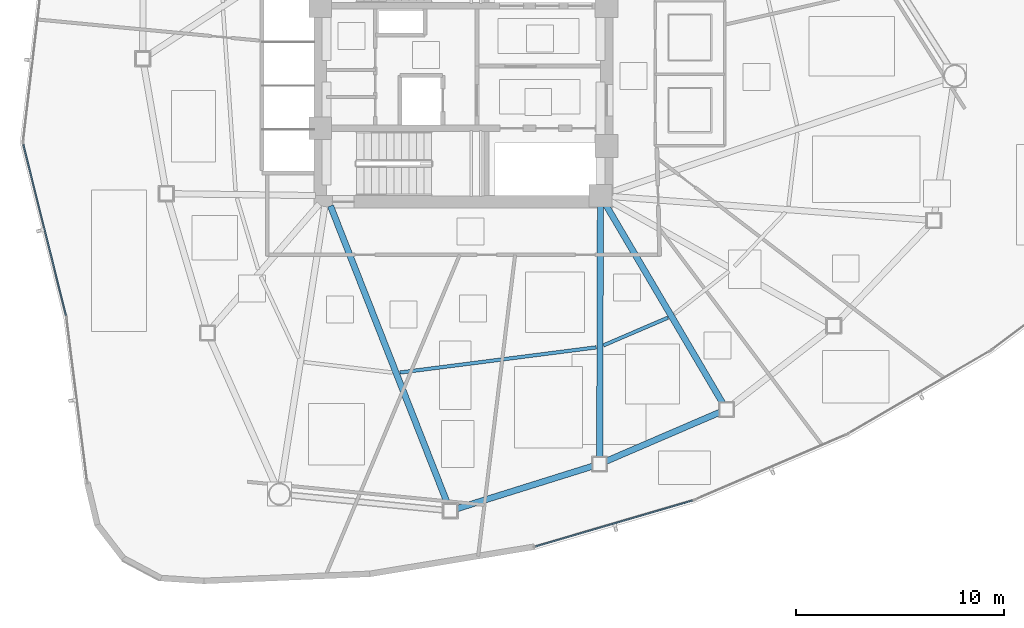
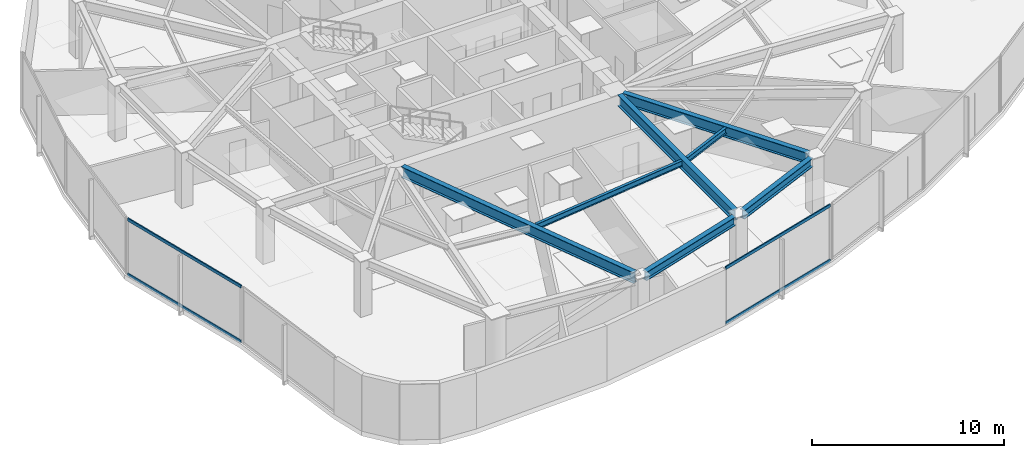
# One storey, part 3 of 17: 7 beams, 4 members, 2 elements without a shape of their own.
"""IFC4 building model written with IfcOpenShell, lengths in metres."""

from ifc_helpers import new_model, si_unit, direction, frame, origin, origin_2d, place, context, subcontext, project, spatial, hollow_rectangle, i_section, extrude, source, transform, mapped, material, layer, layer_set, material_profile, profile_set, type_object, type_shapes, element, aggregate, save


model = new_model("IFC4")

# Units and contexts
model_context = context("Model", 3, precision=1e-05, world=origin(), true_north=direction((0.0, 1.0)))
body_context = subcontext(model_context, "Body", "Model", "MODEL_VIEW")
ifc_project = project(units=[si_unit("LENGTHUNIT", "METRE"), si_unit("AREAUNIT", "SQUARE_METRE"), si_unit("VOLUMEUNIT", "CUBIC_METRE"), si_unit("PLANEANGLEUNIT", "RADIAN"), si_unit("MASSUNIT", "GRAM", prefix="KILO")], contexts=[model_context])

# Site, building, storey
site_placement = place(None, origin())
site = spatial("IfcSite", under=ifc_project, at=site_placement, CompositionType="ELEMENT")
building_placement = place(site_placement, origin())
building = spatial("IfcBuilding", under=site, at=building_placement, Name="Tavelor Broadcast Tower", CompositionType="ELEMENT")
storey_placement = place(building_placement, frame((0.0, 0.0, 115.60009765625)))
storey = spatial("IfcBuildingStorey", under=building, at=storey_placement, Name="L26", CompositionType="ELEMENT", Elevation=115.60009765625)

# Beams
ifc_material_1 = material(Name="Steel S355", Category="steel")
ifc_material_profile_1 = material_profile(ifc_material_1, i_section(OverallWidth=0.169921875, OverallDepth=0.360107421875, WebThickness=0.008056640625, FlangeThickness=0.0126953125, at=origin_2d()), Name="IPE 360")
ifc_profile_set_1 = profile_set([ifc_material_profile_1], Name="Steel S355")
beam_type_1 = type_object("IfcBeamType", Name="Composite Floor Joist T3 IPE 360", PredefinedType="JOIST", material=ifc_profile_set_1)
beam_1_placement = place(storey_placement, frame((46.93701171875, 30.280517578125, 3.369873046875), z_axis=(0.991879926303, 0.12717787464, 0.0), x_axis=(-0.12717787464, 0.991879926303, 0.0)))
element("IfcBeam", 1, at=beam_1_placement, inside=storey, type_object=beam_type_1, Name="L26 Secondary Composite Floor Joist 08", PredefinedType="JOIST", context=body_context, shape_type="SweptSolid", body=[
    extrude(i_section(OverallWidth=0.169921875, OverallDepth=0.360107421875, WebThickness=0.008056640625, FlangeThickness=0.0126953125, at=origin_2d()), origin(), (0.0, 0.0, 1.0), 9.538818359375),
])
beam_2_placement = place(storey_placement, frame((56.744384765625, 31.588134765625, 3.369873046875), z_axis=(0.918816463589, 0.394685072225, 0.0), x_axis=(-0.394685072225, 0.918816463589, 0.0)))
element("IfcBeam", 2, at=beam_2_placement, inside=storey, type_object=beam_type_1, Name="L26 Secondary Composite Floor Joist 09", PredefinedType="JOIST", context=body_context, shape_type="SweptSolid", body=[
    extrude(i_section(OverallWidth=0.169921875, OverallDepth=0.360107421875, WebThickness=0.008056640625, FlangeThickness=0.0126953125, at=origin_2d()), origin(), (0.0, 0.0, 1.0), 3.385498046875),
])
ifc_material_profile_2 = material_profile(ifc_material_1, i_section(OverallWidth=0.300048828125, OverallDepth=0.550048828125, WebThickness=0.014892578125, FlangeThickness=0.029052734375, at=origin_2d()), Name="HEB 550")
ifc_profile_set_2 = profile_set([ifc_material_profile_2], Name="Steel S355")
beam_type_2 = type_object("IfcBeamType", Name="Perimeter Spandrel Beam T3 HEB 550", PredefinedType="SPANDREL", material=ifc_profile_set_2)
beam_3_placement = place(storey_placement, frame((49.68701171875, 23.719482421875, 3.27490234375), z_axis=(0.954271632066, 0.29894088418, 0.0), x_axis=(-0.29894088418, 0.954271632066, 0.0)))
element("IfcBeam", 3, at=beam_3_placement, inside=storey, type_object=beam_type_2, Name="L26 Framed-Tube Ring Spandrel 08", PredefinedType="SPANDREL", context=body_context, shape_type="SweptSolid", body=[
    extrude(i_section(OverallWidth=0.300048828125, OverallDepth=0.550048828125, WebThickness=0.014892578125, FlangeThickness=0.029052734375, at=origin_2d()), origin(), (0.0, 0.0, 1.0), 6.867431640625),
])
beam_4_placement = place(storey_placement, frame((56.86962890625, 26.005615234375, 3.27490234375), z_axis=(0.918448679011, 0.395540167396, 0.0), x_axis=(-0.395540167396, 0.918448679011, 0.0)))
element("IfcBeam", 4, at=beam_4_placement, inside=storey, type_object=beam_type_2, Name="L26 Framed-Tube Ring Spandrel 09", PredefinedType="SPANDREL", context=body_context, shape_type="SweptSolid", body=[
    extrude(i_section(OverallWidth=0.300048828125, OverallDepth=0.550048828125, WebThickness=0.014892578125, FlangeThickness=0.029052734375, at=origin_2d()), origin(), (0.0, 0.0, 1.0), 5.978515625),
])
ifc_material_profile_3 = material_profile(ifc_material_1, i_section(OverallWidth=0.300048828125, OverallDepth=0.68994140625, WebThickness=0.014404296875, FlangeThickness=0.027099609375, at=origin_2d()), Name="HEA 700")
ifc_profile_set_3 = profile_set([ifc_material_profile_3], Name="Steel S355")
beam_type_3 = type_object("IfcBeamType", Name="Radial Floor Girder T3 HEA 700", PredefinedType="BEAM", material=ifc_profile_set_3)
beam_5_placement = place(storey_placement, frame((43.593017578125, 38.30859375, 3.204833984375), z_axis=(0.365795149989, -0.930695389612, 0.0), x_axis=(0.930695389612, 0.365795149989, 0.0)))
element("IfcBeam", 5, at=beam_5_placement, inside=storey, type_object=beam_type_3, Name="L26 Radial Primary Floor Girder 08", PredefinedType="BEAM", context=body_context, shape_type="SweptSolid", body=[
    extrude(i_section(OverallWidth=0.300048828125, OverallDepth=0.68994140625, WebThickness=0.014404296875, FlangeThickness=0.027099609375, at=origin_2d()), origin(), (0.0, 0.0, 1.0), 15.447509765625),
])
beam_6_placement = place(storey_placement, frame((56.598388671875, 38.27197265625, 3.204833984375), z_axis=(-0.003015509149, -0.999995453342, 0.0), x_axis=(0.999995453342, -0.003015509149, 0.0)))
element("IfcBeam", 6, at=beam_6_placement, inside=storey, type_object=beam_type_3, Name="L26 Radial Primary Floor Girder 09", PredefinedType="BEAM", context=body_context, shape_type="SweptSolid", body=[
    extrude(i_section(OverallWidth=0.300048828125, OverallDepth=0.68994140625, WebThickness=0.014404296875, FlangeThickness=0.027099609375, at=origin_2d()), origin(), (0.0, 0.0, 1.0), 12.063232421875),
])
beam_7_placement = place(storey_placement, frame((56.8681640625, 38.34521484375, 3.204833984375), z_axis=(0.507774310592, -0.861490133143, 0.0), x_axis=(0.861490133143, 0.507774310592, 0.0)))
element("IfcBeam", 7, at=beam_7_placement, inside=storey, type_object=beam_type_3, Name="L26 Radial Primary Floor Girder 10", PredefinedType="BEAM", context=body_context, shape_type="SweptSolid", body=[
    extrude(i_section(OverallWidth=0.300048828125, OverallDepth=0.68994140625, WebThickness=0.014404296875, FlangeThickness=0.027099609375, at=origin_2d()), origin(), (0.0, 0.0, 1.0), 11.08837890625),
])

# Curtain wall, members
ifc_material_2 = material(Name="Architectural Anodized Aluminium", Category="aluminium")
ifc_layer = layer(ifc_material_2, 0.18994140625)
ifc_layer_set = layer_set([ifc_layer], Name="Architectural Anodized Aluminium")
curtain_wall_type = type_object("IfcCurtainWallType", Name="Tower Mid-Zone Acoustic Curtain Wall CW03", PredefinedType="NOTDEFINED", material=ifc_layer_set)
curtain_wall_1_placement = place(storey_placement, origin())
curtain_wall_1 = element("IfcCurtainWall", 8, at=curtain_wall_1_placement, inside=storey, type_object=curtain_wall_type, Name="L26 Curtain Wall CW03 Run 255", PredefinedType="NOTDEFINED")
ifc_material_profile_4 = material_profile(ifc_material_2, hollow_rectangle(XDim=0.068115234375, YDim=0.18994140625, WallThickness=0.02197265625, at=origin_2d()), Name="RHS 68x190x22")
ifc_profile_set_4 = profile_set([ifc_material_profile_4], Name="Architectural Anodized Aluminium")
member_type = type_object("IfcMemberType", Name="CW03 Extruded Aluminium Transom 68x190", PredefinedType="USERDEFINED", material=ifc_profile_set_4)
shared_shape_1 = source(origin(), body_context, "Body", "SweptSolid", [
    extrude(hollow_rectangle(XDim=0.068115234375, YDim=0.18994140625, WallThickness=0.02197265625, at=origin_2d()), origin(), (0.0, 0.0, 1.0), 8.484375),
])
member_1_placement = place(storey_placement, frame((28.7939453125, 41.26904296875, 0.033935546875), z_axis=(0.24211582071, -0.970247354731, 0.0), x_axis=(0.970247354731, 0.24211582071, 0.0)))
member_1 = element("IfcMember", 9, at=member_1_placement, type_object=member_type, Name="CW03 transom 1.1", ObjectType="TRANSOM", PredefinedType="USERDEFINED", context=body_context, shape_type="MappedRepresentation", body=[
    mapped(shared_shape_1, transform((0.0, 0.0, 0.0), scale=1.0)),
])
member_2_placement = place(storey_placement, frame((28.7939453125, 41.26904296875, 3.515869140625), z_axis=(0.24211582071, -0.970247354731, 0.0), x_axis=(0.970247354731, 0.24211582071, 0.0)))
member_2 = element("IfcMember", 10, at=member_2_placement, type_object=member_type, Name="CW03 transom 1.2", ObjectType="TRANSOM", PredefinedType="USERDEFINED", context=body_context, shape_type="MappedRepresentation", body=[
    mapped(shared_shape_1, transform((0.0, 0.0, 0.0), scale=1.0)),
])
aggregate(curtain_wall_1, [member_1, member_2])

curtain_wall_2_placement = place(storey_placement, origin())
curtain_wall_2 = element("IfcCurtainWall", 11, at=curtain_wall_2_placement, inside=storey, type_object=curtain_wall_type, Name="L26 Curtain Wall CW03 Run 257", PredefinedType="NOTDEFINED")
shared_shape_2 = source(origin(), body_context, "Body", "SweptSolid", [
    extrude(hollow_rectangle(XDim=0.068115234375, YDim=0.18994140625, WallThickness=0.02197265625, at=origin_2d()), origin(), (0.0, 0.0, 1.0), 7.8701171875),
])
type_shapes(member_type, [shared_shape_1, shared_shape_2])
member_3_placement = place(storey_placement, frame((53.478271484375, 21.90283203125, 0.033935546875), z_axis=(0.959682518809, 0.281086220033, 0.0), x_axis=(-0.281086220033, 0.959682518809, 0.0)))
member_3 = element("IfcMember", 12, at=member_3_placement, type_object=member_type, Name="CW03 transom 1.1", ObjectType="TRANSOM", PredefinedType="USERDEFINED", context=body_context, shape_type="MappedRepresentation", body=[
    mapped(shared_shape_2, transform((0.0, 0.0, 0.0), scale=1.0)),
])
member_4_placement = place(storey_placement, frame((53.478271484375, 21.90283203125, 3.515869140625), z_axis=(0.959682518809, 0.281086220033, 0.0), x_axis=(-0.281086220033, 0.959682518809, 0.0)))
member_4 = element("IfcMember", 13, at=member_4_placement, type_object=member_type, Name="CW03 transom 1.2", ObjectType="TRANSOM", PredefinedType="USERDEFINED", context=body_context, shape_type="MappedRepresentation", body=[
    mapped(shared_shape_2, transform((0.0, 0.0, 0.0), scale=1.0)),
])
aggregate(curtain_wall_2, [member_3, member_4])

save(model, "model.ifc")
